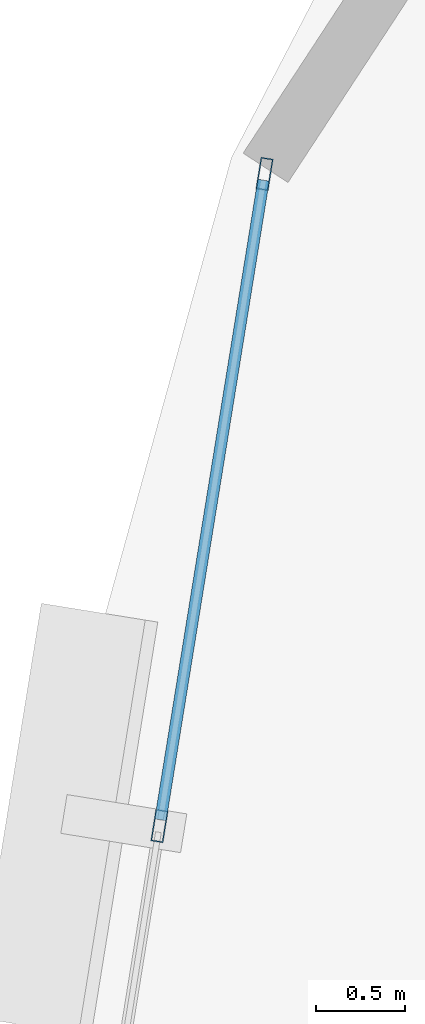
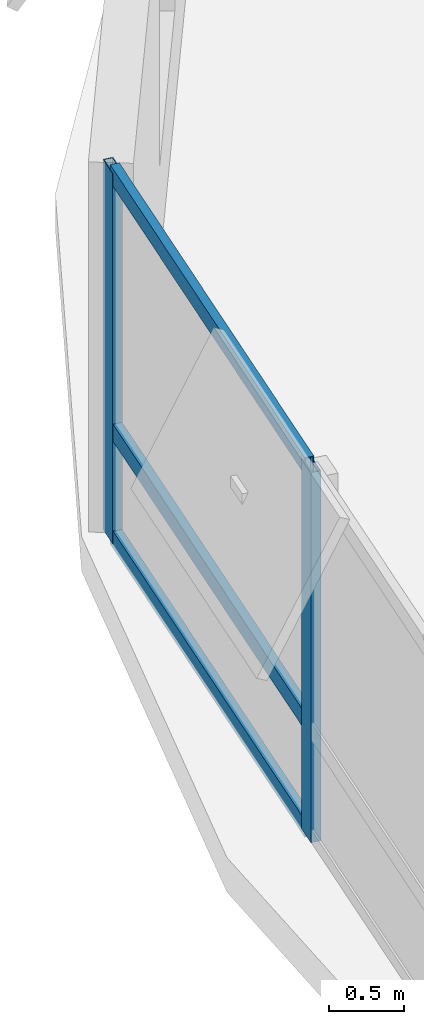
# One storey, part 6 of 16: 5 members, 1 element without a shape of its own.
"""IFC4 building model written with IfcOpenShell, lengths in metres."""

import ifcopenshell
import ifcopenshell.guid

model = None  # the IFC model being written
_history = None  # IfcOwnerHistory: only IFC2X3 demands one
_inside = {}  # id of a spatial element -> (the spatial element, [elements in it])
_under = {}  # id of a project, library or spatial element -> (it, [spatial elements below it])
_declared = {}  # id of a project -> (the project, [libraries it declares])
_typed = {}  # id of a type object -> (the type object, [elements of that type])
_made_of = {}  # id of a material, layer set ... -> (it, [elements and type objects made of it])


def new_model(schema):
    """Start an empty IFC model of exactly this schema.

    Asked for "IFC4X3", IfcOpenShell would pick the latest addendum, in which some entities
    have other attributes; the version numbers below select the first issue.
    IFC2X3 requires an IfcOwnerHistory on every rooted entity: one is made here for all.
    """
    global model, _history
    if schema == "IFC4X3":
        model = ifcopenshell.file(schema_version=(4, 3, 0, 0))
    else:
        model = ifcopenshell.file(schema=schema)
    _inside.clear()
    _under.clear()
    _declared.clear()
    _typed.clear()
    _made_of.clear()
    _history = None
    if model.schema == "IFC2X3":
        org = make("IfcOrganization", Name="unknown")
        user = make(
            "IfcPersonAndOrganization",
            ThePerson=make("IfcPerson", FamilyName="unknown"),
            TheOrganization=org,
        )
        app = make(
            "IfcApplication",
            ApplicationDeveloper=org,
            Version="unknown",
            ApplicationFullName="unknown",
            ApplicationIdentifier="unknown",
        )
        _history = make(
            "IfcOwnerHistory",
            OwningUser=user,
            OwningApplication=app,
            ChangeAction="ADDED",
            CreationDate=0,
        )
    return model


def make(cls, **values):
    """One entity of the class cls with the attributes given. An attribute that is None is left unset."""
    return model.create_entity(
        cls, **{name: value for name, value in values.items() if value is not None}
    )


def rooted(cls, **values):
    """An entity with a GlobalId (a new one), such as an element, a storey or a relation."""
    return make(cls, GlobalId=ifcopenshell.guid.new(), OwnerHistory=_history, **values)


def si_unit(unit_type, name, prefix=None):
    """IfcSIUnit, for example si_unit("LENGTHUNIT", "METRE", prefix="MILLI")."""
    return make("IfcSIUnit", UnitType=unit_type, Prefix=prefix, Name=name)


def assignment(units):
    """IfcUnitAssignment: the units of a project."""
    return None if units is None else make("IfcUnitAssignment", Units=units)


def point(xyz):
    """IfcCartesianPoint."""
    return None if xyz is None else make("IfcCartesianPoint", Coordinates=xyz)


def direction(xyz):
    """IfcDirection."""
    return None if xyz is None else make("IfcDirection", DirectionRatios=xyz)


def frame(location, z_axis=None, x_axis=None):
    """IfcAxis2Placement3D, a coordinate frame: its origin and axes. An axis left out is left unset."""
    return make(
        "IfcAxis2Placement3D",
        Location=point(location),
        Axis=direction(z_axis),
        RefDirection=direction(x_axis),
    )


def frame_2d(location, x_axis=None):
    """IfcAxis2Placement2D, a coordinate frame in the plane: its origin and x axis."""
    return make(
        "IfcAxis2Placement2D", Location=point(location), RefDirection=direction(x_axis)
    )


def origin():
    """The frame at (0, 0, 0) with its axes left unset."""
    return frame((0.0, 0.0, 0.0))


def origin_2d():
    """The frame at (0, 0) in the plane with its x axis left unset."""
    return frame_2d((0.0, 0.0))


def place(relative_to, where):
    """IfcLocalPlacement: puts the frame where relative to a parent placement (None: the world)."""
    return make(
        "IfcLocalPlacement", PlacementRelTo=relative_to, RelativePlacement=where
    )


def context(
    kind, dimensions, precision=None, world=None, true_north=None, identifier=None
):
    """IfcGeometricRepresentationContext, for example the 3D "Model" context."""
    return make(
        "IfcGeometricRepresentationContext",
        ContextIdentifier=identifier,
        ContextType=kind,
        CoordinateSpaceDimension=dimensions,
        Precision=precision,
        WorldCoordinateSystem=world,
        TrueNorth=true_north,
    )


def subcontext(parent, identifier, kind, view, scale=None):
    """IfcGeometricRepresentationSubContext, for example "Body" below "Model"."""
    return make(
        "IfcGeometricRepresentationSubContext",
        ContextIdentifier=identifier,
        ContextType=kind,
        ParentContext=parent,
        TargetScale=scale,
        TargetView=view,
    )


def project(units=None, contexts=None):
    """IfcProject with its units and contexts."""
    return rooted(
        "IfcProject",
        Name="project",
        RepresentationContexts=contexts,
        UnitsInContext=assignment(units),
    )


def spatial(cls, under=None, at=None, **own):
    """A site, building, storey or space (cls), placed at a placement, below another one or the project."""
    s = rooted(cls, ObjectPlacement=at, **own)
    if under is not None:
        _under.setdefault(under.id(), (under, []))[1].append(s)
    return s


def profile(cls, at=None, kind="AREA", **sizes):
    """A parametric profile (cls). Its sizes go by their IFC names, for example OverallWidth=200.0."""
    return make(cls, ProfileType=kind, Position=at, **sizes)


def hollow_rectangle(**sizes):
    """IfcRectangleHollowProfileDef."""
    return profile("IfcRectangleHollowProfileDef", **sizes)


def extrude(swept, where, along, depth):
    """IfcExtrudedAreaSolid: the profile swept, set in the frame where, extruded along a direction by depth."""
    return make(
        "IfcExtrudedAreaSolid",
        SweptArea=swept,
        Position=where,
        ExtrudedDirection=direction(along),
        Depth=depth,
    )


def shape(context_of_items, identifier, shape_type, items):
    """IfcShapeRepresentation: the items that make up one representation, for example the "Body"."""
    return make(
        "IfcShapeRepresentation",
        ContextOfItems=context_of_items,
        RepresentationIdentifier=identifier,
        RepresentationType=shape_type,
        Items=items,
    )


def material(Name=None, Category=None):
    """IfcMaterial."""
    return make("IfcMaterial", Name=Name, Category=Category)


def layer(
    of_material, thickness, ventilated=None, Name=None, Category=None, Priority=None
):
    """IfcMaterialLayer: one layer of a wall or slab, of a material (None: an air gap)."""
    return make(
        "IfcMaterialLayer",
        Material=of_material,
        LayerThickness=thickness,
        IsVentilated=ventilated,
        Name=Name,
        Category=Category,
        Priority=Priority,
    )


def layer_set(layers, Name=None):
    """IfcMaterialLayerSet."""
    return make("IfcMaterialLayerSet", MaterialLayers=layers, LayerSetName=Name)


def material_profile(
    of_material, cross_section, Name=None, Category=None, Priority=None
):
    """IfcMaterialProfile: a cross section and its material."""
    return make(
        "IfcMaterialProfile",
        Name=Name,
        Material=of_material,
        Profile=cross_section,
        Priority=Priority,
        Category=Category,
    )


def profile_set(profiles, Name=None, composite=None):
    """IfcMaterialProfileSet."""
    return make(
        "IfcMaterialProfileSet",
        Name=Name,
        MaterialProfiles=profiles,
        CompositeProfile=composite,
    )


def made_of(thing, what):
    """Note that an element or type object is made of a material, layer set ...; save() writes the relation."""
    if what is not None:
        _made_of.setdefault(what.id(), (what, []))[1].append(thing)
    return thing


def type_object(cls, material=None, **own):
    """A type object (cls), such as IfcWallType, which elements share."""
    return made_of(rooted(cls, **own), material)


def element(
    cls,
    number,
    at=None,
    inside=None,
    cuts=None,
    type_object=None,
    material=None,
    context=None,
    identifier="Body",
    shape_type=None,
    held_by="IfcProductDefinitionShape",
    body=None,
    shapes=None,
    **own,
):
    """One element of the class cls, such as IfcWall. Its Tag is "e" and its number.

    at: its placement. inside: the storey or other place that contains it. cuts: it is an
    opening in that element (IfcRelVoidsElement). A single representation is given by context,
    identifier, shape_type and body (its items); several are given by shapes. held_by: the class
    of the entity that holds the representations. save() writes the other relations.
    """
    e = rooted(cls, Tag="e%d" % number, ObjectPlacement=at, **own)
    if body is not None:
        shapes = [shape(context, identifier, shape_type, body)]
    if shapes is not None:
        e.Representation = make(held_by, Representations=shapes)
    if inside is not None:
        _inside.setdefault(inside.id(), (inside, []))[1].append(e)
    if cuts is not None:
        rooted(
            "IfcRelVoidsElement", RelatingBuildingElement=cuts, RelatedOpeningElement=e
        )
    if type_object is not None:
        _typed.setdefault(type_object.id(), (type_object, []))[1].append(e)
    return made_of(e, material)


def aggregate(whole, parts):
    """IfcRelAggregates: a whole, such as a stair, and the parts it consists of."""
    return rooted("IfcRelAggregates", RelatingObject=whole, RelatedObjects=parts)


def save(model, path):
    """Write the relations noted so far, then the file.

    IfcRelAggregates (storeys below a building ...), IfcRelContainedInSpatialStructure (elements
    in a storey), IfcRelDefinesByType, IfcRelAssociatesMaterial and IfcRelDeclares: one each for
    every whole, place, type object, material and project.
    """
    for whole, parts in _under.values():
        aggregate(whole, parts)
    for where, things in _inside.values():
        rooted(
            "IfcRelContainedInSpatialStructure",
            RelatedElements=things,
            RelatingStructure=where,
        )
    for kind, things in _typed.values():
        rooted("IfcRelDefinesByType", RelatedObjects=things, RelatingType=kind)
    for what, things in _made_of.values():
        rooted("IfcRelAssociatesMaterial", RelatedObjects=things, RelatingMaterial=what)
    for by, libraries in _declared.values():
        rooted("IfcRelDeclares", RelatingContext=by, RelatedDefinitions=libraries)
    model.write(path)


model = new_model("IFC4")

# Units and contexts
model_context = context("Model", 3, precision=1e-05, world=origin(), true_north=direction((0.0, 1.0)))
body_context = subcontext(model_context, "Body", "Model", "MODEL_VIEW")
ifc_project = project(units=[si_unit("LENGTHUNIT", "METRE"), si_unit("AREAUNIT", "SQUARE_METRE"), si_unit("VOLUMEUNIT", "CUBIC_METRE"), si_unit("PLANEANGLEUNIT", "RADIAN"), si_unit("MASSUNIT", "GRAM", prefix="KILO"), si_unit("THERMODYNAMICTEMPERATUREUNIT", "KELVIN"), si_unit("POWERUNIT", "WATT")], contexts=[model_context])

# Site, building, storey
site_placement = place(None, origin())
site = spatial("IfcSite", under=ifc_project, at=site_placement, CompositionType="ELEMENT")
building_placement = place(site_placement, origin())
building = spatial("IfcBuilding", under=site, at=building_placement, Name="Ocrelia Relay Tower", CompositionType="ELEMENT")
storey_placement = place(building_placement, frame((0.0, 0.0, 46.800048828125)))
storey = spatial("IfcBuildingStorey", under=building, at=storey_placement, Name="L10", CompositionType="ELEMENT", Elevation=46.800048828125)

# Curtain wall, members
ifc_material_1 = material(Name="Aluminium and solar-control low-E glass", Category="aluminium")
ifc_layer = layer(ifc_material_1, 0.179931640625, Name="Aluminium and solar-control low-E glass")
ifc_layer_set = layer_set([ifc_layer], Name="Aluminium and solar-control low-E glass")
curtain_wall_type = type_object("IfcCurtainWallType", Name="CW-SYS-Z1-DATA", PredefinedType="NOTDEFINED", material=ifc_layer_set)
curtain_wall_placement = place(storey_placement, origin())
curtain_wall = element("IfcCurtainWall", 1, at=curtain_wall_placement, inside=storey, type_object=curtain_wall_type, Name="L10 Elliptical Tower Curtain Wall Bay 09", PredefinedType="NOTDEFINED")
ifc_material_2 = material(Name="Anodised bronze aluminium", Category="aluminium")
ifc_material_profile_1 = material_profile(ifc_material_2, hollow_rectangle(XDim=0.070068359375, YDim=0.179931640625, WallThickness=0.006103515625, at=origin_2d()), Name="CW-MUL-180x70")
ifc_profile_set_1 = profile_set([ifc_material_profile_1], Name="Anodised bronze aluminium")
member_type_1 = type_object("IfcMemberType", Name="CW-SYS-Z1-DATA-MUL", PredefinedType="MULLION", material=ifc_profile_set_1)
member_1_placement = place(storey_placement, frame((7.445556640625, 31.503173828125, 0.0), z_axis=(0.0, 0.0, 1.0), x_axis=(0.987246140039, -0.159201315878, 0.0)))
member_1 = element("IfcMember", 2, at=member_1_placement, type_object=member_type_1, Name="CW-Z1 mullion 1", PredefinedType="MULLION", context=body_context, shape_type="SweptSolid", body=[
    extrude(hollow_rectangle(XDim=0.070068359375, YDim=0.179931640625, WallThickness=0.006103515625, at=origin_2d()), origin(), (0.0, 0.0, 1.0), 3.0),
])
member_2_placement = place(storey_placement, frame((6.856201171875, 27.84765625, 0.0), z_axis=(0.0, 0.0, 1.0), x_axis=(0.987246140039, -0.159201315878, 0.0)))
member_2 = element("IfcMember", 3, at=member_2_placement, type_object=member_type_1, Name="CW-Z1 mullion 2", PredefinedType="MULLION", context=body_context, shape_type="SweptSolid", body=[
    extrude(hollow_rectangle(XDim=0.070068359375, YDim=0.179931640625, WallThickness=0.006103515625, at=origin_2d()), origin(), (0.0, 0.0, 1.0), 3.0),
])
ifc_material_profile_2 = material_profile(ifc_material_2, hollow_rectangle(XDim=0.06494140625, YDim=0.139892578125, WallThickness=0.0048828125, at=origin_2d()), Name="CW-TRN-140x65")
ifc_profile_set_2 = profile_set([ifc_material_profile_2], Name="Anodised bronze aluminium")
member_type_2 = type_object("IfcMemberType", Name="CW-SYS-Z1-DATA-TRN", PredefinedType="USERDEFINED", material=ifc_profile_set_2)
member_3_placement = place(storey_placement, frame((7.43994140625, 31.468505859375, 0.032470703125), z_axis=(-0.159154253395, -0.987253728089, 0.0), x_axis=(0.987253728089, -0.159154253395, 0.0)))
member_3 = element("IfcMember", 4, at=member_3_placement, type_object=member_type_2, Name="CW-Z1 transom 1.1", ObjectType="TRANSOM", PredefinedType="USERDEFINED", context=body_context, shape_type="SweptSolid", body=[
    extrude(hollow_rectangle(XDim=0.06494140625, YDim=0.139892578125, WallThickness=0.0048828125, at=origin_2d()), origin(), (0.0, 0.0, 1.0), 3.632568359375),
])
member_4_placement = place(storey_placement, frame((7.43994140625, 31.468505859375, 0.89990234375), z_axis=(-0.159154253395, -0.987253728089, 0.0), x_axis=(0.987253728089, -0.159154253395, 0.0)))
member_4 = element("IfcMember", 5, at=member_4_placement, type_object=member_type_2, Name="CW-Z1 transom 1.2", ObjectType="TRANSOM", PredefinedType="USERDEFINED", context=body_context, shape_type="SweptSolid", body=[
    extrude(hollow_rectangle(XDim=0.06494140625, YDim=0.139892578125, WallThickness=0.0048828125, at=origin_2d()), origin(), (0.0, 0.0, 1.0), 3.632568359375),
])
member_5_placement = place(storey_placement, frame((7.43994140625, 31.468505859375, 2.967529296875), z_axis=(-0.159154253395, -0.987253728089, 0.0), x_axis=(0.987253728089, -0.159154253395, 0.0)))
member_5 = element("IfcMember", 6, at=member_5_placement, type_object=member_type_2, Name="CW-Z1 transom 1.3", ObjectType="TRANSOM", PredefinedType="USERDEFINED", context=body_context, shape_type="SweptSolid", body=[
    extrude(hollow_rectangle(XDim=0.06494140625, YDim=0.139892578125, WallThickness=0.0048828125, at=origin_2d()), origin(), (0.0, 0.0, 1.0), 3.632568359375),
])
aggregate(curtain_wall, [member_1, member_2, member_3, member_4, member_5])

save(model, "model.ifc")
